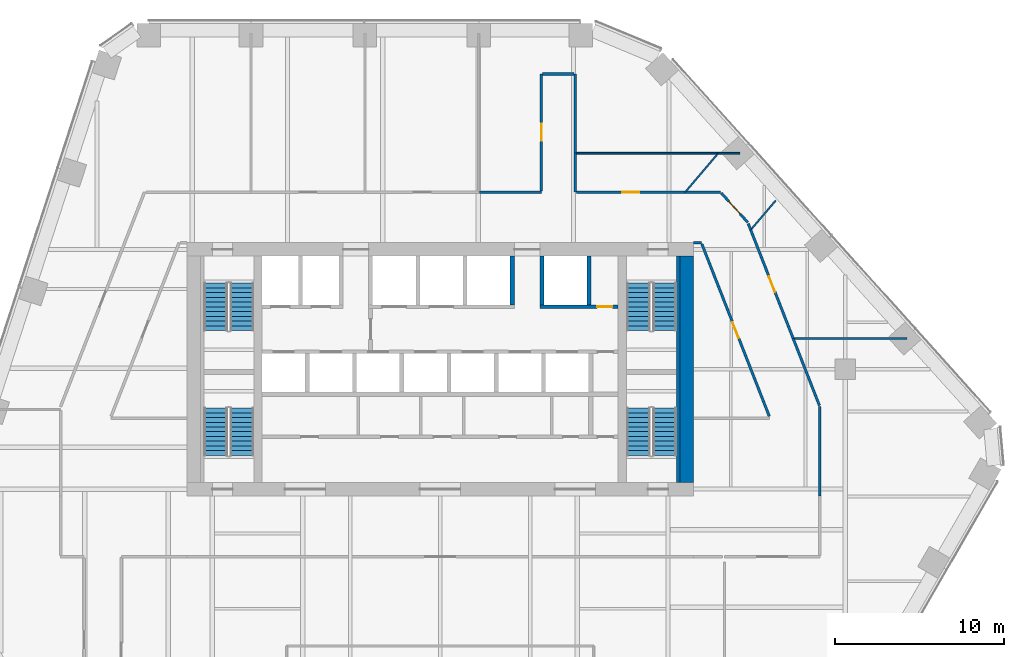
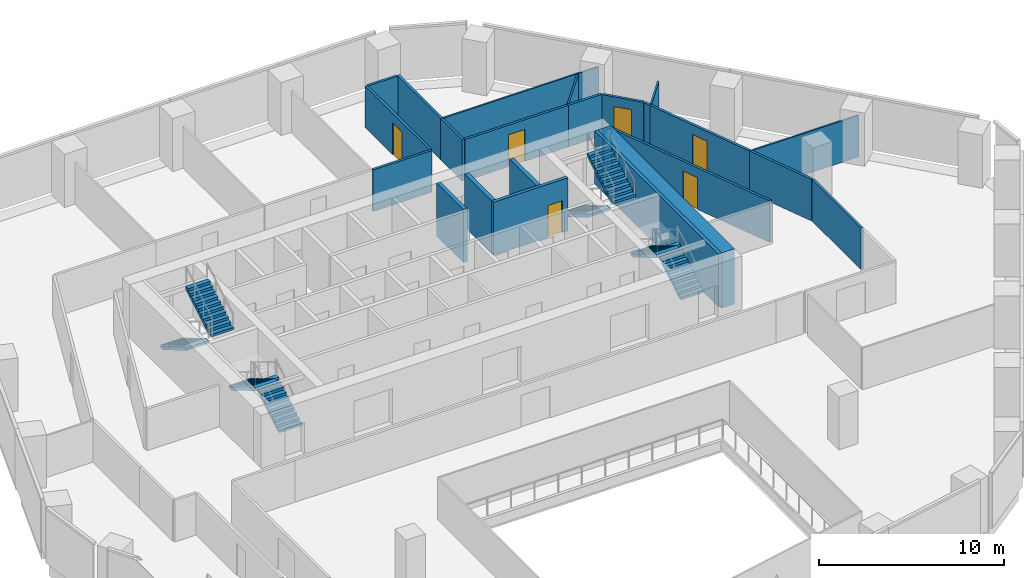
# One storey, part 13 of 16: 25 walls, 8 stair flights, 6 doors, 6 openings, 4 elements without a shape of their own.
"""IFC4 building model written with IfcOpenShell, lengths in metres."""

from ifc_helpers import new_model, si_unit, direction, frame, frame_2d, origin, place, context, subcontext, project, spatial, polyline, rectangle, outline, extrude, material, layer, layer_set, type_object, element, fill, aggregate, save


model = new_model("IFC4")

# Units and contexts
model_context = context("Model", 3, precision=1e-05, world=origin(), true_north=direction((0.0, 1.0)))
body_context = subcontext(model_context, "Body", "Model", "MODEL_VIEW")
ifc_project = project(units=[si_unit("LENGTHUNIT", "METRE"), si_unit("AREAUNIT", "SQUARE_METRE"), si_unit("VOLUMEUNIT", "CUBIC_METRE"), si_unit("PLANEANGLEUNIT", "RADIAN"), si_unit("MASSUNIT", "GRAM", prefix="KILO")], contexts=[model_context])

# Site, building, storey
site_placement = place(None, origin())
site = spatial("IfcSite", under=ifc_project, at=site_placement, CompositionType="ELEMENT")
building_placement = place(site_placement, origin())
building = spatial("IfcBuilding", under=site, at=building_placement, Name="Isthmus Gate Tower", CompositionType="ELEMENT")
storey_placement = place(building_placement, frame((0.0, 0.0, 133.449951171875)))
storey = spatial("IfcBuildingStorey", under=building, at=storey_placement, Name="L32", CompositionType="ELEMENT", Elevation=133.449951171875)

# Walls
ifc_material_1 = material(Name="Gypsum board on steel studs, fire-rated", Category="steel")
ifc_layer_1 = layer(ifc_material_1, 0.14990234375)
ifc_layer_set_1 = layer_set([ifc_layer_1], Name="CORRIDOR WALL 150 60 MIN")
wall_type_1 = type_object("IfcWallType", Name="CORRIDOR WALL 150 60 MIN", PredefinedType="PARTITIONING", material=ifc_layer_set_1)
wall_1_placement = place(storey_placement, frame((8.0, 25.0, 0.0), z_axis=(0.0, 0.0, 1.0), x_axis=(0.0, -1.0, 0.0)))
element("IfcWall", 1, at=wall_1_placement, inside=storey, type_object=wall_type_1, Name="L32 Corridor Wall 150 60 Min", PredefinedType="PARTITIONING", context=body_context, shape_type="SweptSolid", body=[
    extrude(rectangle(XDim=4.69189453125, YDim=0.14990234375, at=frame_2d((2.345947265625, 0.0))), origin(), (0.0, 0.0, 1.0), 2.7412109375),
])
wall_2_placement = place(storey_placement, frame((15.47607421875, 15.0, 0.0), z_axis=(0.0, 0.0, 1.0), x_axis=(-1.0, 0.0, 0.0)))
element("IfcWall", 2, at=wall_2_placement, inside=storey, type_object=wall_type_1, Name="L32 Corridor Wall 150 60 Min", PredefinedType="PARTITIONING", context=body_context, shape_type="SweptSolid", body=[
    extrude(rectangle(XDim=0.47607421875, YDim=0.14990234375, at=frame_2d((0.238037109375, 0.0))), origin(), (0.0, 0.0, 1.0), 2.7412109375),
])

# Wall, opening, door
wall_3_placement = place(storey_placement, frame((19.5, 4.717041015625, 0.0), z_axis=(0.0, 0.0, 1.0), x_axis=(-0.364410260026, 0.931238509936, 0.0)))
wall_3 = element("IfcWall", 3, at=wall_3_placement, inside=storey, type_object=wall_type_1, Name="L32 Corridor Wall 150 60 Min", PredefinedType="PARTITIONING", context=body_context, shape_type="SweptSolid", body=[
    extrude(rectangle(XDim=10.96728515625, YDim=0.14990234375, at=frame_2d((5.483642578125, 0.0))), origin(), (0.0, 0.0, 1.0), 2.7412109375),
])
opening_1_placement = place(wall_3_placement, frame((4.983642578125, 0.0, 0.0)))
opening_1 = element("IfcOpeningElement", 4, at=opening_1_placement, cuts=wall_3, Name="Opening DT-T3A-06", PredefinedType="OPENING", context=body_context, shape_type="SweptSolid", body=[
    extrude(rectangle(XDim=1.0, YDim=2.10009765625, at=frame_2d((0.5, 1.050048828125))), frame((0.0, 0.0849609375, 0.0), z_axis=(0.0, -1.0, 0.0), x_axis=(1.0, 0.0, 0.0)), (0.0, 0.0, 1.0), 0.169921875),
])
ifc_material_2 = material(Name="Solid core timber door leaf, fire-rated", Category="wood")
door_type_1 = type_object("IfcDoorType", Name="FIRE DOOR ROOM 1000 X 2100 60 MIN", OperationType="SINGLE_SWING_LEFT", PredefinedType="DOOR", material=ifc_material_2)
door_1_placement = place(opening_1_placement, origin())
door_1 = element("IfcDoor", 5, at=door_1_placement, inside=storey, type_object=door_type_1, Name="L32 room door", OperationType="SINGLE_SWING_RIGHT", OverallHeight=2.10009765625, OverallWidth=1.0, PredefinedType="DOOR", context=body_context, shape_type="SweptSolid", body=[
    extrude(rectangle(XDim=1.0, YDim=2.10009765625, at=frame_2d((0.5, 1.050048828125))), frame((0.0, 0.02490234375, 0.0), z_axis=(0.0, -1.0, 0.0), x_axis=(1.0, 0.0, 0.0)), (0.0, 0.0, 1.0), 0.050048828125),
])
fill(opening_1, door_1)

# Walls
wall_4_placement = place(storey_placement, frame((22.5, 5.282958984375, 0.0), z_axis=(0.0, 0.0, 1.0), x_axis=(0.0, -1.0, 0.0)))
element("IfcWall", 6, at=wall_4_placement, inside=storey, type_object=wall_type_1, Name="L32 Corridor Wall 150 60 Min", PredefinedType="PARTITIONING", context=body_context, shape_type="SweptSolid", body=[
    extrude(rectangle(XDim=5.282958984375, YDim=0.14990234375, at=frame_2d((2.6416015625, 0.0))), origin(), (0.0, 0.0, 1.0), 2.7412109375),
])
wall_5_placement = place(storey_placement, frame((8.0, 20.30810546875, 0.0), z_axis=(0.0, 0.0, 1.0), x_axis=(0.0, -1.0, 0.0)))
element("IfcWall", 7, at=wall_5_placement, inside=storey, type_object=wall_type_1, Name="L32 Corridor Wall 150 60 Min", PredefinedType="PARTITIONING", context=body_context, shape_type="SweptSolid", body=[
    extrude(rectangle(XDim=2.30810546875, YDim=0.14990234375, at=frame_2d((1.154052734375, 0.0))), origin(), (0.0, 0.0, 1.0), 2.7412109375),
])
wall_6_placement = place(storey_placement, frame((2.337890625, 18.0, 0.0), z_axis=(0.0, 0.0, 1.0), x_axis=(1.0, 0.0, 0.0)))
element("IfcWall", 8, at=wall_6_placement, inside=storey, type_object=wall_type_1, Name="L32 Corridor Wall 150 60 Min", PredefinedType="PARTITIONING", context=body_context, shape_type="SweptSolid", body=[
    extrude(rectangle(XDim=3.662109375, YDim=0.14990234375, at=frame_2d((1.8310546875, 0.0))), origin(), (0.0, 0.0, 1.0), 2.7412109375),
])

# Wall, opening, door
wall_7_placement = place(storey_placement, frame((6.0, 18.074951171875, 0.0), z_axis=(0.0, 0.0, 1.0), x_axis=(0.0, 1.0, 0.0)))
wall_7 = element("IfcWall", 9, at=wall_7_placement, inside=storey, type_object=wall_type_1, Name="L32 Corridor Wall 150 60 Min", PredefinedType="PARTITIONING", context=body_context, shape_type="SweptSolid", body=[
    extrude(rectangle(XDim=6.925048828125, YDim=0.14990234375, at=frame_2d((3.46240234375, 0.0))), origin(), (0.0, 0.0, 1.0), 2.7412109375),
])
opening_2_placement = place(wall_7_placement, frame((2.96240234375, 0.0, 0.0)))
opening_2 = element("IfcOpeningElement", 10, at=opening_2_placement, cuts=wall_7, Name="Opening DT-T3A-03", PredefinedType="OPENING", context=body_context, shape_type="SweptSolid", body=[
    extrude(rectangle(XDim=1.0, YDim=2.10009765625, at=frame_2d((0.5, 1.050048828125))), frame((0.0, 0.0849609375, 0.0), z_axis=(0.0, -1.0, 0.0), x_axis=(1.0, 0.0, 0.0)), (0.0, 0.0, 1.0), 0.169921875),
])
door_2_placement = place(opening_2_placement, origin())
door_2 = element("IfcDoor", 11, at=door_2_placement, inside=storey, type_object=door_type_1, Name="L32 room door", OperationType="SINGLE_SWING_RIGHT", OverallHeight=2.10009765625, OverallWidth=1.0, PredefinedType="DOOR", context=body_context, shape_type="SweptSolid", body=[
    extrude(rectangle(XDim=1.0, YDim=2.10009765625, at=frame_2d((0.5, 1.050048828125))), frame((0.0, 0.02490234375, 0.0), z_axis=(0.0, -1.0, 0.0), x_axis=(1.0, 0.0, 0.0)), (0.0, 0.0, 1.0), 0.050048828125),
])
fill(opening_2, door_2)

# Walls
wall_8_placement = place(storey_placement, frame((6.074951171875, 25.0, 0.0), z_axis=(0.0, 0.0, 1.0), x_axis=(1.0, 0.0, 0.0)))
element("IfcWall", 12, at=wall_8_placement, inside=storey, type_object=wall_type_1, Name="L32 Corridor Wall 150 60 Min", PredefinedType="PARTITIONING", context=body_context, shape_type="SweptSolid", body=[
    extrude(rectangle(XDim=1.85009765625, YDim=0.14990234375, at=frame_2d((0.925048828125, 0.0))), origin(), (0.0, 0.0, 1.0), 2.7412109375),
])
wall_9_placement = place(storey_placement, frame((20.9189453125, 9.322998046875, 0.0), z_axis=(0.0, 0.0, 1.0), x_axis=(0.364429576393, -0.931230950865, 0.0)))
element("IfcWall", 13, at=wall_9_placement, inside=storey, type_object=wall_type_1, Name="L32 Corridor Wall 150 60 Min", PredefinedType="PARTITIONING", context=body_context, shape_type="SweptSolid", body=[
    extrude(rectangle(XDim=4.263427734375, YDim=0.14990234375, at=frame_2d((2.1318359375, 0.0))), origin(), (0.0, 0.0, 1.0), 2.7412109375),
])

# Wall, opening, door
wall_10_placement = place(storey_placement, frame((18.39990234375, 15.760009765625, 0.0), z_axis=(0.0, 0.0, 1.0), x_axis=(0.364425982763, -0.931232357195, 0.0)))
wall_10 = element("IfcWall", 14, at=wall_10_placement, inside=storey, type_object=wall_type_1, Name="L32 Corridor Wall 150 60 Min", PredefinedType="PARTITIONING", context=body_context, shape_type="SweptSolid", body=[
    extrude(rectangle(XDim=6.912353515625, YDim=0.14990234375, at=frame_2d((3.4560546875, 0.0))), origin(), (0.0, 0.0, 1.0), 2.7412109375),
])
opening_3_placement = place(wall_10_placement, frame((2.956298828125, 0.0, 0.0)))
opening_3 = element("IfcOpeningElement", 15, at=opening_3_placement, cuts=wall_10, Name="Opening DT-T3A-11", PredefinedType="OPENING", context=body_context, shape_type="SweptSolid", body=[
    extrude(rectangle(XDim=1.0, YDim=2.10009765625, at=frame_2d((0.5, 1.050048828125))), frame((0.0, 0.0849609375, 0.0), z_axis=(0.0, -1.0, 0.0), x_axis=(1.0, 0.0, 0.0)), (0.0, 0.0, 1.0), 0.169921875),
])
door_3_placement = place(opening_3_placement, origin())
door_3 = element("IfcDoor", 16, at=door_3_placement, inside=storey, type_object=door_type_1, Name="L32 room door", OperationType="SINGLE_SWING_RIGHT", OverallHeight=2.10009765625, OverallWidth=1.0, PredefinedType="DOOR", context=body_context, shape_type="SweptSolid", body=[
    extrude(rectangle(XDim=1.0, YDim=2.10009765625, at=frame_2d((0.5, 1.050048828125))), frame((0.0, 0.02490234375, 0.0), z_axis=(0.0, -1.0, 0.0), x_axis=(1.0, 0.0, 0.0)), (0.0, 0.0, 1.0), 0.050048828125),
])
fill(opening_3, door_3)

# Wall
wall_11_placement = place(storey_placement, frame((14.51708984375, 18.0, 0.0), z_axis=(0.0, 0.0, 1.0), x_axis=(1.0, 0.0, 0.0)))
element("IfcWall", 17, at=wall_11_placement, inside=storey, type_object=wall_type_1, Name="L32 Corridor Wall 150 60 Min", PredefinedType="PARTITIONING", context=body_context, shape_type="SweptSolid", body=[
    extrude(rectangle(XDim=2.093017578125, YDim=0.14990234375, at=frame_2d((1.04638671875, 0.0))), origin(), (0.0, 0.0, 1.0), 2.7412109375),
])

# Wall, opening, door
wall_12_placement = place(storey_placement, frame((16.66015625, 17.9443359375, 0.0), z_axis=(0.0, 0.0, 1.0), x_axis=(0.669103043777, -0.743169642012, 0.0)))
wall_12 = element("IfcWall", 18, at=wall_12_placement, inside=storey, type_object=wall_type_1, Name="L32 Corridor Wall 150 60 Min", PredefinedType="PARTITIONING", context=body_context, shape_type="SweptSolid", body=[
    extrude(rectangle(XDim=2.34033203125, YDim=0.14990234375, at=frame_2d((1.170166015625, 0.0))), origin(), (0.0, 0.0, 1.0), 2.7412109375),
])
opening_4_placement = place(wall_12_placement, frame((0.670166015625, 0.0, 0.0)))
opening_4 = element("IfcOpeningElement", 19, at=opening_4_placement, cuts=wall_12, Name="Opening DT-T3A-12", PredefinedType="OPENING", context=body_context, shape_type="SweptSolid", body=[
    extrude(rectangle(XDim=1.0, YDim=2.10009765625, at=frame_2d((0.5, 1.050048828125))), frame((0.0, 0.0849609375, 0.0), z_axis=(0.0, -1.0, 0.0), x_axis=(1.0, 0.0, 0.0)), (0.0, 0.0, 1.0), 0.169921875),
])
door_4_placement = place(opening_4_placement, origin())
door_4 = element("IfcDoor", 20, at=door_4_placement, inside=storey, type_object=door_type_1, Name="L32 room door", OperationType="SINGLE_SWING_RIGHT", OverallHeight=2.10009765625, OverallWidth=1.0, PredefinedType="DOOR", context=body_context, shape_type="SweptSolid", body=[
    extrude(rectangle(XDim=1.0, YDim=2.10009765625, at=frame_2d((0.5, 1.050048828125))), frame((0.0, 0.02490234375, 0.0), z_axis=(0.0, -1.0, 0.0), x_axis=(1.0, 0.0, 0.0)), (0.0, 0.0, 1.0), 0.050048828125),
])
fill(opening_4, door_4)

# Wall
wall_13_placement = place(storey_placement, frame((18.25341796875, 16.135009765625, 0.0), z_axis=(0.0, 0.0, 1.0), x_axis=(0.36385052714, -0.93145734948, 0.0)))
element("IfcWall", 21, at=wall_13_placement, inside=storey, type_object=wall_type_1, Name="L32 Corridor Wall 150 60 Min", PredefinedType="PARTITIONING", context=body_context, shape_type="SweptSolid", body=[
    extrude(rectangle(XDim=0.402587890625, YDim=0.14990234375, at=frame_2d((0.201171875, 0.0))), origin(), (0.0, 0.0, 1.0), 2.7412109375),
])

# Wall, opening, door
wall_14_placement = place(storey_placement, frame((8.074951171875, 18.0, 0.0), z_axis=(0.0, 0.0, 1.0), x_axis=(1.0, 0.0, 0.0)))
wall_14 = element("IfcWall", 22, at=wall_14_placement, inside=storey, type_object=wall_type_1, Name="L32 Corridor Wall 150 60 Min", PredefinedType="PARTITIONING", context=body_context, shape_type="SweptSolid", body=[
    extrude(rectangle(XDim=6.442138671875, YDim=0.14990234375, at=frame_2d((3.22119140625, 0.0))), origin(), (0.0, 0.0, 1.0), 2.7412109375),
])
opening_5_placement = place(wall_14_placement, frame((2.720947265625, 0.0, 0.0)))
opening_5 = element("IfcOpeningElement", 23, at=opening_5_placement, cuts=wall_14, Name="Opening DT-T3A-13", PredefinedType="OPENING", context=body_context, shape_type="SweptSolid", body=[
    extrude(rectangle(XDim=1.0, YDim=2.10009765625, at=frame_2d((0.5, 1.050048828125))), frame((0.0, 0.0849609375, 0.0), z_axis=(0.0, -1.0, 0.0), x_axis=(1.0, 0.0, 0.0)), (0.0, 0.0, 1.0), 0.169921875),
])
door_5_placement = place(opening_5_placement, origin())
door_5 = element("IfcDoor", 24, at=door_5_placement, inside=storey, type_object=door_type_1, Name="L32 room door", OperationType="SINGLE_SWING_RIGHT", OverallHeight=2.10009765625, OverallWidth=1.0, PredefinedType="DOOR", context=body_context, shape_type="SweptSolid", body=[
    extrude(rectangle(XDim=1.0, YDim=2.10009765625, at=frame_2d((0.5, 1.050048828125))), frame((0.0, 0.02490234375, 0.0), z_axis=(0.0, -1.0, 0.0), x_axis=(1.0, 0.0, 0.0)), (0.0, 0.0, 1.0), 0.050048828125),
])
fill(opening_5, door_5)

# Walls
ifc_material_3 = material(Name="Concrete f'c 60 MPa", Category="concrete")
ifc_layer_2 = layer(ifc_material_3, 0.800048828125)
ifc_layer_set_2 = layer_set([ifc_layer_2], Name="RC CORE WALL 800 F'C 60")
wall_type_2 = type_object("IfcWallType", Name="RC CORE WALL 800 F'C 60", PredefinedType="SOLIDWALL", material=ifc_layer_set_2)
wall_15_placement = place(storey_placement, frame((14.60009765625, 0.800048828125, -0.14990234375), z_axis=(0.0, 0.0, 1.0), x_axis=(0.0, 1.0, 0.0)))
element("IfcWall", 25, at=wall_15_placement, inside=storey, type_object=wall_type_2, Name="str-corewall-L32-E", PredefinedType="SOLIDWALL", context=body_context, shape_type="SweptSolid", body=[
    extrude(rectangle(XDim=13.39990234375, YDim=0.800048828125, at=frame_2d((6.699951171875, 0.0))), origin(), (0.0, 0.0, 1.0), 3.64990234375),
])
ifc_material_4 = material(Name="Gypsum board on steel studs, fire-rated", Category="steel")
ifc_layer_3 = layer(ifc_material_4, 0.10009765625)
ifc_layer_set_3 = layer_set([ifc_layer_3], Name="ROOM PARTITION 100 30 MIN")
wall_type_3 = type_object("IfcWallType", Name="ROOM PARTITION 100 30 MIN", PredefinedType="PARTITIONING", material=ifc_layer_set_3)
wall_16_placement = place(storey_placement, frame((16.47900390625, 20.30810546875, 0.0), z_axis=(0.0, 0.0, 1.0), x_axis=(1.0, 0.0, 0.0)))
element("IfcWall", 26, at=wall_16_placement, inside=storey, type_object=wall_type_3, Name="L32 Room Partition 100 30 Min", PredefinedType="PARTITIONING", context=body_context, shape_type="SweptSolid", body=[
    extrude(rectangle(XDim=1.282958984375, YDim=0.10009765625, at=frame_2d((0.6416015625, 0.0))), origin(), (0.0, 0.0, 1.0), 2.7412109375),
])
wall_17_placement = place(storey_placement, frame((8.074951171875, 20.30810546875, 0.0), z_axis=(0.0, 0.0, 1.0), x_axis=(1.0, 0.0, 0.0)))
element("IfcWall", 27, at=wall_17_placement, inside=storey, type_object=wall_type_3, Name="L32 Room Partition 100 30 Min", PredefinedType="PARTITIONING", context=body_context, shape_type="SweptSolid", body=[
    extrude(rectangle(XDim=8.404052734375, YDim=0.10009765625, at=frame_2d((4.2021484375, 0.0))), origin(), (0.0, 0.0, 1.0), 2.7412109375),
])
wall_18_placement = place(storey_placement, frame((20.99951171875, 9.322998046875, 0.0), z_axis=(0.0, 0.0, 1.0), x_axis=(1.0, 0.0, 0.0)))
element("IfcWall", 28, at=wall_18_placement, inside=storey, type_object=wall_type_3, Name="L32 Room Partition 100 30 Min", PredefinedType="PARTITIONING", context=body_context, shape_type="SweptSolid", body=[
    extrude(rectangle(XDim=6.652587890625, YDim=0.10009765625, at=frame_2d((3.326171875, 0.0))), origin(), (0.0, 0.0, 1.0), 2.7412109375),
])
wall_19_placement = place(storey_placement, frame((18.455078125, 15.824951171875, 0.0), z_axis=(0.0, 0.0, 1.0), x_axis=(0.647780060511, 0.761827403815, 0.0)))
element("IfcWall", 29, at=wall_19_placement, inside=storey, type_object=wall_type_3, Name="L32 Room Partition 100 30 Min", PredefinedType="PARTITIONING", context=body_context, shape_type="SweptSolid", body=[
    extrude(rectangle(XDim=2.20703125, YDim=0.10009765625, at=frame_2d((1.103515625, 0.0))), origin(), (0.0, 0.0, 1.0), 2.7412109375),
])
wall_20_placement = place(storey_placement, frame((14.580810546875, 18.074951171875, 0.0), z_axis=(0.0, 0.0, 1.0), x_axis=(0.6476632602, 0.761926703422, 0.0)))
element("IfcWall", 30, at=wall_20_placement, inside=storey, type_object=wall_type_3, Name="L32 Room Partition 100 30 Min", PredefinedType="PARTITIONING", context=body_context, shape_type="SweptSolid", body=[
    extrude(rectangle(XDim=2.865234375, YDim=0.10009765625, at=frame_2d((1.4326171875, 0.0))), origin(), (0.0, 0.0, 1.0), 2.7412109375),
])

# Wall, opening, door
ifc_material_5 = material(Name="Fire-rated blockwork masonry, 15 MPa", Category="masonry")
ifc_layer_4 = layer(ifc_material_5, 0.199951171875)
ifc_layer_set_4 = layer_set([ifc_layer_4], Name="SHAFT FRONT WALL 200 120 MIN")
wall_type_4 = type_object("IfcWallType", Name="SHAFT FRONT WALL 200 120 MIN", PredefinedType="PARTITIONING", material=ifc_layer_set_4)
wall_21_placement = place(storey_placement, frame((5.89990234375, 11.199951171875, 0.0), z_axis=(0.0, 0.0, 1.0), x_axis=(1.0, 0.0, 0.0)))
wall_21 = element("IfcWall", 31, at=wall_21_placement, inside=storey, type_object=wall_type_4, Name="L32 SHAFT FRONT WALL 200 120 MIN", PredefinedType="PARTITIONING", context=body_context, shape_type="SweptSolid", body=[
    extrude(rectangle(XDim=4.650146484375, YDim=0.199951171875, at=frame_2d((2.3251953125, 0.0))), origin(), (0.0, 0.0, 1.0), 3.5),
])
opening_6_placement = place(wall_21_placement, frame((3.39990234375, 0.0, 0.0)))
opening_6 = element("IfcOpeningElement", 32, at=opening_6_placement, cuts=wall_21, Name="Opening DC-A11-09", PredefinedType="OPENING", context=body_context, shape_type="SweptSolid", body=[
    extrude(rectangle(XDim=0.89990234375, YDim=2.10009765625, at=frame_2d((0.449951171875, 1.050048828125))), frame((0.0, 0.10986328125, 0.0), z_axis=(0.0, -1.0, 0.0), x_axis=(1.0, 0.0, 0.0)), (0.0, 0.0, 1.0), 0.219970703125),
])
ifc_material_6 = material(Name="Steel door leaf, fire-rated", Category="steel")
door_type_2 = type_object("IfcDoorType", Name="RISER FIRE DOOR 900 X 2100 90 MIN", OperationType="SINGLE_SWING_LEFT", PredefinedType="DOOR", material=ifc_material_6)
door_6_placement = place(opening_6_placement, origin())
door_6 = element("IfcDoor", 33, at=door_6_placement, inside=storey, type_object=door_type_2, Name="Riser Door", OperationType="SINGLE_SWING_LEFT", OverallHeight=2.10009765625, OverallWidth=0.89990234375, PredefinedType="DOOR", context=body_context, shape_type="SweptSolid", body=[
    extrude(rectangle(XDim=0.89990234375, YDim=2.10009765625, at=frame_2d((0.449951171875, 1.050048828125))), frame((0.0, 0.02490234375, 0.0), z_axis=(0.0, -1.0, 0.0), x_axis=(1.0, 0.0, 0.0)), (0.0, 0.0, 1.0), 0.050048828125),
])
fill(opening_6, door_6)

# Walls
ifc_material_7 = material(Name="Fire-rated blockwork masonry, 15 MPa", Category="masonry")
ifc_layer_5 = layer(ifc_material_7, 0.25)
ifc_layer_set_5 = layer_set([ifc_layer_5], Name="SHAFT WALL 250 120 MIN")
wall_type_5 = type_object("IfcWallType", Name="SHAFT WALL 250 120 MIN", PredefinedType="PARTITIONING", material=ifc_layer_set_5)
for number, where, z_axis, x_axis, name in (
    (34, (4.27490234375, 11.300048828125, 0.0), (0.0, 0.0, 1.0), (0.0, 1.0, 0.0), "L32 SHAFT WALL 250 120 MIN"),
    (35, (6.02490234375, 11.300048828125, 0.0), (0.0, 0.0, 1.0), (0.0, 1.0, 0.0), "L32 SHAFT WALL 250 120 MIN"),
    (36, (8.824951171875, 11.300048828125, 0.0), (0.0, 0.0, 1.0), (0.0, 1.0, 0.0), "L32 SHAFT WALL 250 120 MIN"),
):
    element("IfcWall", number, at=place(storey_placement, frame(where, z_axis=z_axis, x_axis=x_axis)), inside=storey, type_object=wall_type_5, Name=name, PredefinedType="PARTITIONING", context=body_context, shape_type="SweptSolid", body=[
        extrude(rectangle(XDim=2.89990234375, YDim=0.25, at=frame_2d((1.449951171875, 0.0))), origin(), (0.0, 0.0, 1.0), 3.5),
    ])
ifc_material_8 = material(Name="Concrete f'c 40 MPa", Category="concrete")
ifc_layer_6 = layer(ifc_material_8, 0.199951171875)
ifc_layer_set_6 = layer_set([ifc_layer_6], Name="STAIR ENCLOSURE WALL 200 180 MIN")
wall_type_6 = type_object("IfcWallType", Name="STAIR ENCLOSURE WALL 200 180 MIN", PredefinedType="SOLIDWALL", material=ifc_layer_set_6)
wall_22_placement = place(storey_placement, frame((14.10009765625, 0.800048828125, 0.0), z_axis=(0.0, 0.0, 1.0), x_axis=(0.0, 1.0, 0.0)))
element("IfcWall", 37, at=wall_22_placement, inside=storey, type_object=wall_type_6, Name="L32 STAIR ENCLOSURE WALL 200 180 MIN", PredefinedType="SOLIDWALL", context=body_context, shape_type="SweptSolid", body=[
    extrude(rectangle(XDim=13.39990234375, YDim=0.199951171875, at=frame_2d((6.699951171875, 0.0))), origin(), (0.0, 0.0, 1.0), 3.5),
])

# Stair, stair flights
ifc_material_9 = material(Name="Concrete f'c 40 MPa", Category="concrete")
stair_type = type_object("IfcStairType", Name="CORE STAIR 22 RISERS", PredefinedType="HALF_TURN_STAIR", material=ifc_material_9)
stair_1_placement = place(storey_placement, origin())
stair_1 = element("IfcStair", 38, at=stair_1_placement, inside=storey, type_object=stair_type, Name="L32 Exit Stair 1", PredefinedType="HALF_TURN_STAIR")
ifc_material_10 = material(Name="Concrete f'c 40 MPa", Category="concrete")
stair_flight_type = type_object("IfcStairFlightType", Name="STAIR FLIGHT RC 1400", PredefinedType="STRAIGHT", material=ifc_material_10)
stair_flight_1_placement = place(storey_placement, frame((-13.300048828125, 12.60009765625, 0.0), z_axis=(0.0, 0.0, 1.0), x_axis=(0.0, -1.0, 0.0)))
stair_flight_1 = element("IfcStairFlight", 39, at=stair_flight_1_placement, type_object=stair_flight_type, Name="ST1 flight 1", NumberOfRisers=11, NumberOfTreads=10, PredefinedType="STRAIGHT", RiserHeight=0.165909091, TreadLength=0.28, context=body_context, shape_type="SweptSolid", body=[
    extrude(outline(polyline([(0.0, 0.0), (0.0, 0.166015625), (0.280029296875, 0.166015625), (0.280029296875, 0.331787109375), (0.56005859375, 0.331787109375), (0.56005859375, 0.497802734375), (0.840087890625, 0.497802734375), (0.840087890625, 0.66357421875), (1.1201171875, 0.66357421875), (1.1201171875, 0.82958984375), (1.39990234375, 0.82958984375), (1.39990234375, 0.995361328125), (1.679931640625, 0.995361328125), (1.679931640625, 1.161376953125), (1.9599609375, 1.161376953125), (1.9599609375, 1.327392578125), (2.239990234375, 1.327392578125), (2.239990234375, 1.4931640625), (2.52001953125, 1.4931640625), (2.52001953125, 1.6591796875), (2.800048828125, 1.6591796875), (2.800048828125, 1.824951171875), (2.800048828125, 1.48486328125), (0.2939453125, 0.0), (0.0, 0.0)])), frame((0.0, 0.699951171875, 0.0), z_axis=(0.0, -1.0, 0.0), x_axis=(1.0, 0.0, 0.0)), (0.0, 0.0, 1.0), 1.39990234375),
])
stair_flight_2_placement = place(storey_placement, frame((-11.75, 9.800048828125, 1.824951171875), z_axis=(0.0, 0.0, 1.0), x_axis=(0.0, 1.0, 0.0)))
stair_flight_2 = element("IfcStairFlight", 40, at=stair_flight_2_placement, type_object=stair_flight_type, Name="ST1 flight 2", NumberOfRisers=11, NumberOfTreads=10, PredefinedType="STRAIGHT", RiserHeight=0.165909091, TreadLength=0.28, context=body_context, shape_type="SweptSolid", body=[
    extrude(outline(polyline([(0.0, 0.0), (0.0, 0.166015625), (0.280029296875, 0.166015625), (0.280029296875, 0.331787109375), (0.56005859375, 0.331787109375), (0.56005859375, 0.497802734375), (0.840087890625, 0.497802734375), (0.840087890625, 0.66357421875), (1.1201171875, 0.66357421875), (1.1201171875, 0.82958984375), (1.39990234375, 0.82958984375), (1.39990234375, 0.995361328125), (1.679931640625, 0.995361328125), (1.679931640625, 1.161376953125), (1.9599609375, 1.161376953125), (1.9599609375, 1.327392578125), (2.239990234375, 1.327392578125), (2.239990234375, 1.4931640625), (2.52001953125, 1.4931640625), (2.52001953125, 1.6591796875), (2.800048828125, 1.6591796875), (2.800048828125, 1.824951171875), (2.800048828125, 1.48486328125), (0.2939453125, 0.0), (0.0, 0.0)])), frame((0.0, 0.699951171875, 0.0), z_axis=(0.0, -1.0, 0.0), x_axis=(1.0, 0.0, 0.0)), (0.0, 0.0, 1.0), 1.39990234375),
])
aggregate(stair_1, [stair_flight_1, stair_flight_2])

stair_2_placement = place(storey_placement, origin())
stair_2 = element("IfcStair", 41, at=stair_2_placement, inside=storey, type_object=stair_type, Name="L32 Exit Stair 2", PredefinedType="HALF_TURN_STAIR")
stair_flight_3_placement = place(storey_placement, frame((11.75, 12.60009765625, 0.0), z_axis=(0.0, 0.0, 1.0), x_axis=(0.0, -1.0, 0.0)))
stair_flight_3 = element("IfcStairFlight", 42, at=stair_flight_3_placement, type_object=stair_flight_type, Name="ST2 flight 1", NumberOfRisers=11, NumberOfTreads=10, PredefinedType="STRAIGHT", RiserHeight=0.165909091, TreadLength=0.28, context=body_context, shape_type="SweptSolid", body=[
    extrude(outline(polyline([(0.0, 0.0), (0.0, 0.166015625), (0.280029296875, 0.166015625), (0.280029296875, 0.331787109375), (0.56005859375, 0.331787109375), (0.56005859375, 0.497802734375), (0.840087890625, 0.497802734375), (0.840087890625, 0.66357421875), (1.1201171875, 0.66357421875), (1.1201171875, 0.82958984375), (1.39990234375, 0.82958984375), (1.39990234375, 0.995361328125), (1.679931640625, 0.995361328125), (1.679931640625, 1.161376953125), (1.9599609375, 1.161376953125), (1.9599609375, 1.327392578125), (2.239990234375, 1.327392578125), (2.239990234375, 1.4931640625), (2.52001953125, 1.4931640625), (2.52001953125, 1.6591796875), (2.800048828125, 1.6591796875), (2.800048828125, 1.824951171875), (2.800048828125, 1.48486328125), (0.2939453125, 0.0), (0.0, 0.0)])), frame((0.0, 0.699951171875, 0.0), z_axis=(0.0, -1.0, 0.0), x_axis=(1.0, 0.0, 0.0)), (0.0, 0.0, 1.0), 1.39990234375),
])
stair_flight_4_placement = place(storey_placement, frame((13.300048828125, 9.800048828125, 1.824951171875), z_axis=(0.0, 0.0, 1.0), x_axis=(0.0, 1.0, 0.0)))
stair_flight_4 = element("IfcStairFlight", 43, at=stair_flight_4_placement, type_object=stair_flight_type, Name="ST2 flight 2", NumberOfRisers=11, NumberOfTreads=10, PredefinedType="STRAIGHT", RiserHeight=0.165909091, TreadLength=0.28, context=body_context, shape_type="SweptSolid", body=[
    extrude(outline(polyline([(0.0, 0.0), (0.0, 0.166015625), (0.280029296875, 0.166015625), (0.280029296875, 0.331787109375), (0.56005859375, 0.331787109375), (0.56005859375, 0.497802734375), (0.840087890625, 0.497802734375), (0.840087890625, 0.66357421875), (1.1201171875, 0.66357421875), (1.1201171875, 0.82958984375), (1.39990234375, 0.82958984375), (1.39990234375, 0.995361328125), (1.679931640625, 0.995361328125), (1.679931640625, 1.161376953125), (1.9599609375, 1.161376953125), (1.9599609375, 1.327392578125), (2.239990234375, 1.327392578125), (2.239990234375, 1.4931640625), (2.52001953125, 1.4931640625), (2.52001953125, 1.6591796875), (2.800048828125, 1.6591796875), (2.800048828125, 1.824951171875), (2.800048828125, 1.48486328125), (0.2939453125, 0.0), (0.0, 0.0)])), frame((0.0, 0.699951171875, 0.0), z_axis=(0.0, -1.0, 0.0), x_axis=(1.0, 0.0, 0.0)), (0.0, 0.0, 1.0), 1.39990234375),
])
aggregate(stair_2, [stair_flight_3, stair_flight_4])

stair_3_placement = place(storey_placement, origin())
stair_3 = element("IfcStair", 44, at=stair_3_placement, inside=storey, type_object=stair_type, Name="L32 Exit Stair 7", PredefinedType="HALF_TURN_STAIR")
stair_flight_5_placement = place(storey_placement, frame((-11.75, 2.39990234375, 0.0), z_axis=(0.0, 0.0, 1.0), x_axis=(0.0, 1.0, 0.0)))
stair_flight_5 = element("IfcStairFlight", 45, at=stair_flight_5_placement, type_object=stair_flight_type, Name="ST7 flight 1", NumberOfRisers=11, NumberOfTreads=10, PredefinedType="STRAIGHT", RiserHeight=0.165909091, TreadLength=0.28, context=body_context, shape_type="SweptSolid", body=[
    extrude(outline(polyline([(0.0, 0.0), (0.0, 0.166015625), (0.280029296875, 0.166015625), (0.280029296875, 0.331787109375), (0.56005859375, 0.331787109375), (0.56005859375, 0.497802734375), (0.840087890625, 0.497802734375), (0.840087890625, 0.66357421875), (1.1201171875, 0.66357421875), (1.1201171875, 0.82958984375), (1.39990234375, 0.82958984375), (1.39990234375, 0.995361328125), (1.679931640625, 0.995361328125), (1.679931640625, 1.161376953125), (1.9599609375, 1.161376953125), (1.9599609375, 1.327392578125), (2.239990234375, 1.327392578125), (2.239990234375, 1.4931640625), (2.52001953125, 1.4931640625), (2.52001953125, 1.6591796875), (2.800048828125, 1.6591796875), (2.800048828125, 1.824951171875), (2.800048828125, 1.48486328125), (0.2939453125, 0.0), (0.0, 0.0)])), frame((0.0, 0.699951171875, 0.0), z_axis=(0.0, -1.0, 0.0), x_axis=(1.0, 0.0, 0.0)), (0.0, 0.0, 1.0), 1.39990234375),
])
stair_flight_6_placement = place(storey_placement, frame((-13.300048828125, 5.199951171875, 1.824951171875), z_axis=(0.0, 0.0, 1.0), x_axis=(0.0, -1.0, 0.0)))
stair_flight_6 = element("IfcStairFlight", 46, at=stair_flight_6_placement, type_object=stair_flight_type, Name="ST7 flight 2", NumberOfRisers=11, NumberOfTreads=10, PredefinedType="STRAIGHT", RiserHeight=0.165909091, TreadLength=0.28, context=body_context, shape_type="SweptSolid", body=[
    extrude(outline(polyline([(0.0, 0.0), (0.0, 0.166015625), (0.280029296875, 0.166015625), (0.280029296875, 0.331787109375), (0.56005859375, 0.331787109375), (0.56005859375, 0.497802734375), (0.840087890625, 0.497802734375), (0.840087890625, 0.66357421875), (1.1201171875, 0.66357421875), (1.1201171875, 0.82958984375), (1.39990234375, 0.82958984375), (1.39990234375, 0.995361328125), (1.679931640625, 0.995361328125), (1.679931640625, 1.161376953125), (1.9599609375, 1.161376953125), (1.9599609375, 1.327392578125), (2.239990234375, 1.327392578125), (2.239990234375, 1.4931640625), (2.52001953125, 1.4931640625), (2.52001953125, 1.6591796875), (2.800048828125, 1.6591796875), (2.800048828125, 1.824951171875), (2.800048828125, 1.48486328125), (0.2939453125, 0.0), (0.0, 0.0)])), frame((0.0, 0.699951171875, 0.0), z_axis=(0.0, -1.0, 0.0), x_axis=(1.0, 0.0, 0.0)), (0.0, 0.0, 1.0), 1.39990234375),
])
aggregate(stair_3, [stair_flight_5, stair_flight_6])

stair_4_placement = place(storey_placement, origin())
stair_4 = element("IfcStair", 47, at=stair_4_placement, inside=storey, type_object=stair_type, Name="L32 Exit Stair 8", PredefinedType="HALF_TURN_STAIR")
stair_flight_7_placement = place(storey_placement, frame((13.300048828125, 2.39990234375, 0.0), z_axis=(0.0, 0.0, 1.0), x_axis=(0.0, 1.0, 0.0)))
stair_flight_7 = element("IfcStairFlight", 48, at=stair_flight_7_placement, type_object=stair_flight_type, Name="ST8 flight 1", NumberOfRisers=11, NumberOfTreads=10, PredefinedType="STRAIGHT", RiserHeight=0.165909091, TreadLength=0.28, context=body_context, shape_type="SweptSolid", body=[
    extrude(outline(polyline([(0.0, 0.0), (0.0, 0.166015625), (0.280029296875, 0.166015625), (0.280029296875, 0.331787109375), (0.56005859375, 0.331787109375), (0.56005859375, 0.497802734375), (0.840087890625, 0.497802734375), (0.840087890625, 0.66357421875), (1.1201171875, 0.66357421875), (1.1201171875, 0.82958984375), (1.39990234375, 0.82958984375), (1.39990234375, 0.995361328125), (1.679931640625, 0.995361328125), (1.679931640625, 1.161376953125), (1.9599609375, 1.161376953125), (1.9599609375, 1.327392578125), (2.239990234375, 1.327392578125), (2.239990234375, 1.4931640625), (2.52001953125, 1.4931640625), (2.52001953125, 1.6591796875), (2.800048828125, 1.6591796875), (2.800048828125, 1.824951171875), (2.800048828125, 1.48486328125), (0.2939453125, 0.0), (0.0, 0.0)])), frame((0.0, 0.699951171875, 0.0), z_axis=(0.0, -1.0, 0.0), x_axis=(1.0, 0.0, 0.0)), (0.0, 0.0, 1.0), 1.39990234375),
])
stair_flight_8_placement = place(storey_placement, frame((11.75, 5.199951171875, 1.824951171875), z_axis=(0.0, 0.0, 1.0), x_axis=(0.0, -1.0, 0.0)))
stair_flight_8 = element("IfcStairFlight", 49, at=stair_flight_8_placement, type_object=stair_flight_type, Name="ST8 flight 2", NumberOfRisers=11, NumberOfTreads=10, PredefinedType="STRAIGHT", RiserHeight=0.165909091, TreadLength=0.28, context=body_context, shape_type="SweptSolid", body=[
    extrude(outline(polyline([(0.0, 0.0), (0.0, 0.166015625), (0.280029296875, 0.166015625), (0.280029296875, 0.331787109375), (0.56005859375, 0.331787109375), (0.56005859375, 0.497802734375), (0.840087890625, 0.497802734375), (0.840087890625, 0.66357421875), (1.1201171875, 0.66357421875), (1.1201171875, 0.82958984375), (1.39990234375, 0.82958984375), (1.39990234375, 0.995361328125), (1.679931640625, 0.995361328125), (1.679931640625, 1.161376953125), (1.9599609375, 1.161376953125), (1.9599609375, 1.327392578125), (2.239990234375, 1.327392578125), (2.239990234375, 1.4931640625), (2.52001953125, 1.4931640625), (2.52001953125, 1.6591796875), (2.800048828125, 1.6591796875), (2.800048828125, 1.824951171875), (2.800048828125, 1.48486328125), (0.2939453125, 0.0), (0.0, 0.0)])), frame((0.0, 0.699951171875, 0.0), z_axis=(0.0, -1.0, 0.0), x_axis=(1.0, 0.0, 0.0)), (0.0, 0.0, 1.0), 1.39990234375),
])
aggregate(stair_4, [stair_flight_7, stair_flight_8])

save(model, "model.ifc")
